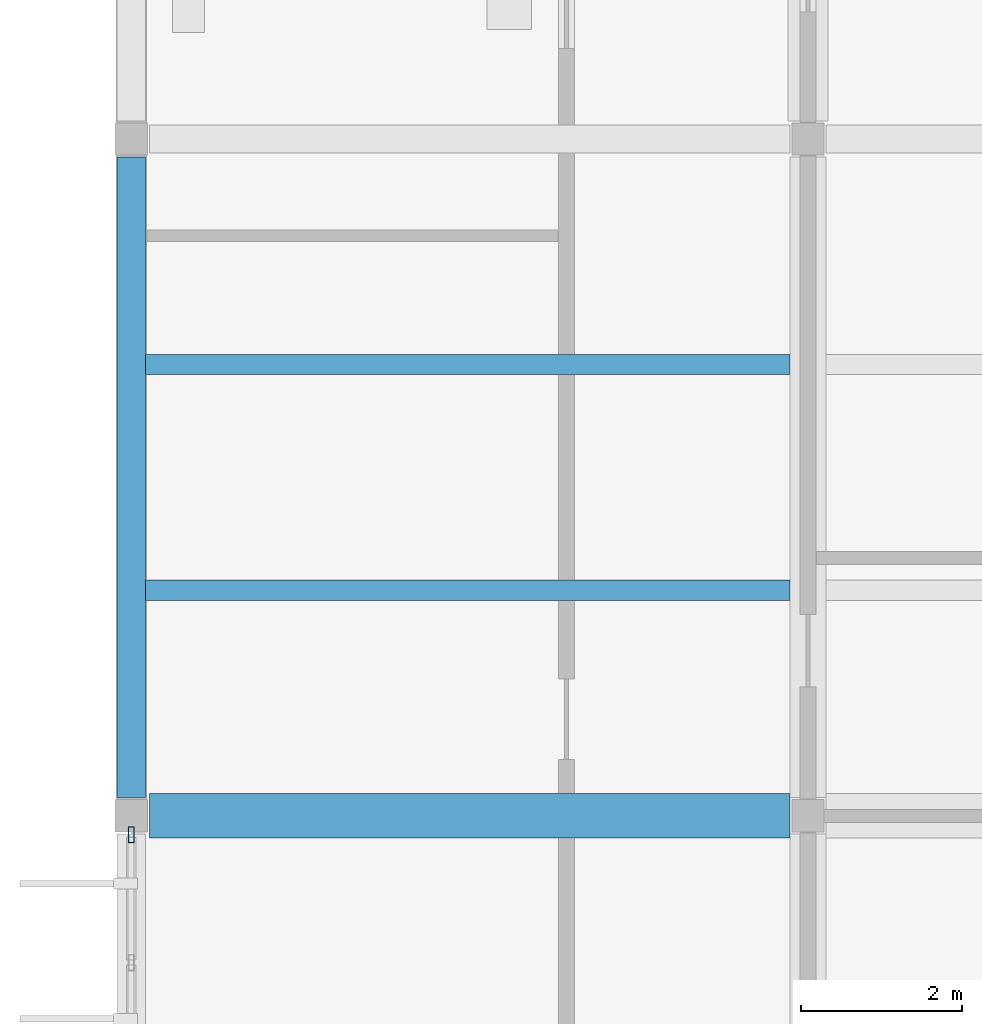
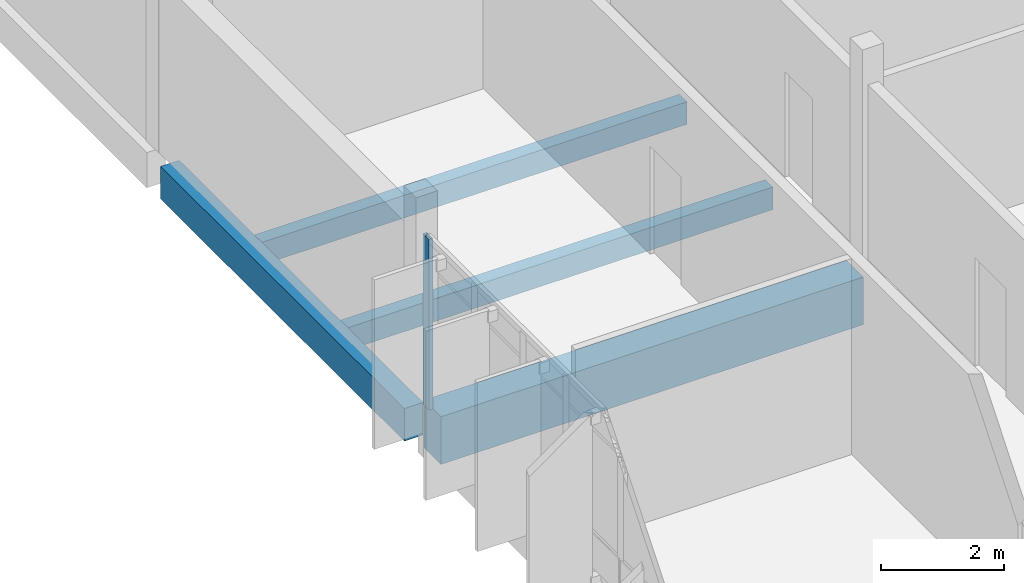
# One storey, part 12 of 41: 4 beams, 1 member, 1 element without a shape of its own.
"""IFC4 building model written with IfcOpenShell, lengths in metres."""

from ifc_helpers import new_model, si_unit, direction, frame, origin, origin_2d, place, context, subcontext, project, spatial, rectangle, hollow_rectangle, extrude, material, layer, layer_set, material_profile, profile_set, type_object, element, aggregate, save


model = new_model("IFC4")

# Units and contexts
model_context = context("Model", 3, precision=1e-05, world=origin(), true_north=direction((0.0, 1.0)))
body_context = subcontext(model_context, "Body", "Model", "MODEL_VIEW")
ifc_project = project(units=[si_unit("LENGTHUNIT", "METRE"), si_unit("AREAUNIT", "SQUARE_METRE"), si_unit("VOLUMEUNIT", "CUBIC_METRE"), si_unit("PLANEANGLEUNIT", "RADIAN"), si_unit("MASSUNIT", "GRAM", prefix="KILO")], contexts=[model_context])

# Site, building, storey
site_placement = place(None, origin())
site = spatial("IfcSite", under=ifc_project, at=site_placement, CompositionType="ELEMENT")
building_placement = place(site_placement, origin())
building = spatial("IfcBuilding", under=site, at=building_placement, Name="Vireocrest Preparatory School", CompositionType="ELEMENT")
storey_placement = place(building_placement, frame((0.0, 0.0, 21.60009765625)))
storey = spatial("IfcBuildingStorey", under=building, at=storey_placement, Name="L05", CompositionType="ELEMENT", Elevation=21.60009765625)

# Curtain wall, member
ifc_material_1 = material(Name="Thermally broken aluminium EN AW-6063-T6", Category="aluminium")
ifc_layer = layer(ifc_material_1, 0.179931640625)
ifc_layer_set = layer_set([ifc_layer], Name="Thermally broken aluminium EN AW-6063-T6")
curtain_wall_type = type_object("IfcCurtainWallType", Name="Teaching Fin Curtain Wall 8400x4200", PredefinedType="USERDEFINED", material=ifc_layer_set)
curtain_wall_placement = place(storey_placement, origin())
curtain_wall = element("IfcCurtainWall", 1, at=curtain_wall_placement, inside=storey, type_object=curtain_wall_type, Name="Curtain Wall CW03 CW_L05_CW03_0420_0524_216", ObjectType="CURTAIN WALL", PredefinedType="USERDEFINED")
ifc_material_profile_1 = material_profile(ifc_material_1, hollow_rectangle(XDim=0.074951171875, YDim=0.199951171875, WallThickness=0.0048828125, at=origin_2d()), Name="ALU 75x200x5")
ifc_profile_set_1 = profile_set([ifc_material_profile_1], Name="Thermally broken aluminium EN AW-6063-T6")
member_type = type_object("IfcMemberType", Name="CW Mullion 75x200x5", PredefinedType="MULLION", material=ifc_profile_set_1)
member_placement = place(storey_placement, frame((42.0, 60.364990234375, 0.0), z_axis=(0.0, 0.0, 1.0), x_axis=(1.0, 0.0, 0.0)))
member = element("IfcMember", 2, at=member_placement, type_object=member_type, Name="CW Mullion ML3 CW_L05_CW03_0420_0524_216-6", PredefinedType="MULLION", context=body_context, shape_type="SweptSolid", body=[
    extrude(hollow_rectangle(XDim=0.074951171875, YDim=0.199951171875, WallThickness=0.0048828125, at=origin_2d()), origin(), (0.0, 0.0, 1.0), 3.39501953125),
])
aggregate(curtain_wall, [member])

# Beams
ifc_material_2 = material(Name="Concrete 40 MPa", Category="concrete")
ifc_material_profile_2 = material_profile(ifc_material_2, rectangle(XDim=0.35009765625, YDim=0.64990234375, at=origin_2d()), Name="RC 350x650")
ifc_profile_set_2 = profile_set([ifc_material_profile_2], Name="Concrete 40 MPa")
beam_type_1 = type_object("IfcBeamType", Name="RC Classroom Girder 350x650", PredefinedType="BEAM", material=ifc_profile_set_2)
beam_1_placement = place(storey_placement, frame((42.0, 60.824951171875, -0.585205078125), z_axis=(0.0, 1.0, 0.0), x_axis=(-1.0, 0.0, 0.0)))
element("IfcBeam", 3, at=beam_1_placement, inside=storey, type_object=beam_type_1, Name="Primary Girder B05 L05-1564", PredefinedType="BEAM", context=body_context, shape_type="SweptSolid", body=[
    extrude(rectangle(XDim=0.35009765625, YDim=0.64990234375, at=origin_2d()), origin(), (0.0, 0.0, 1.0), 7.949951171875),
])
ifc_material_profile_3 = material_profile(ifc_material_2, rectangle(XDim=0.25, YDim=0.449951171875, at=origin_2d()), Name="RC 250x450")
ifc_profile_set_3 = profile_set([ifc_material_profile_3], Name="Concrete 40 MPa")
beam_type_2 = type_object("IfcBeamType", Name="RC Secondary Floor Joist 250x450", PredefinedType="JOIST", material=ifc_profile_set_3)
for number, where, z_axis, x_axis, name in (
    (4, (42.175048828125, 63.39990234375, -0.485107421875), (1.0, 0.0, 0.0), (0.0, 1.0, 0.0), "Secondary Joist J01 L05-1617"),
    (5, (42.175048828125, 66.199951171875, -0.485107421875), (1.0, 0.0, 0.0), (0.0, 1.0, 0.0), "Secondary Joist J01 L05-1618"),
):
    element("IfcBeam", number, at=place(storey_placement, frame(where, z_axis=z_axis, x_axis=x_axis)), inside=storey, type_object=beam_type_2, Name=name, PredefinedType="JOIST", context=body_context, shape_type="SweptSolid", body=[
        extrude(rectangle(XDim=0.25, YDim=0.449951171875, at=origin_2d()), origin(), (0.0, 0.0, 1.0), 8.0),
    ])
ifc_material_profile_4 = material_profile(ifc_material_2, rectangle(XDim=0.550048828125, YDim=0.949951171875, at=origin_2d()), Name="RC 550x950")
ifc_profile_set_4 = profile_set([ifc_material_profile_4], Name="Concrete 40 MPa")
beam_type_3 = type_object("IfcBeamType", Name="RC Setback Edge Girder 550x950", PredefinedType="BEAM", material=ifc_profile_set_4)
beam_2_placement = place(storey_placement, frame((42.22509765625, 60.60009765625, -0.735107421875), z_axis=(1.0, 0.0, 0.0), x_axis=(0.0, 1.0, 0.0)))
element("IfcBeam", 6, at=beam_2_placement, inside=storey, type_object=beam_type_3, Name="Primary Girder B17 L05-1527", PredefinedType="BEAM", context=body_context, shape_type="SweptSolid", body=[
    extrude(rectangle(XDim=0.550048828125, YDim=0.949951171875, at=origin_2d()), origin(), (0.0, 0.0, 1.0), 7.949951171875),
])

save(model, "model.ifc")
